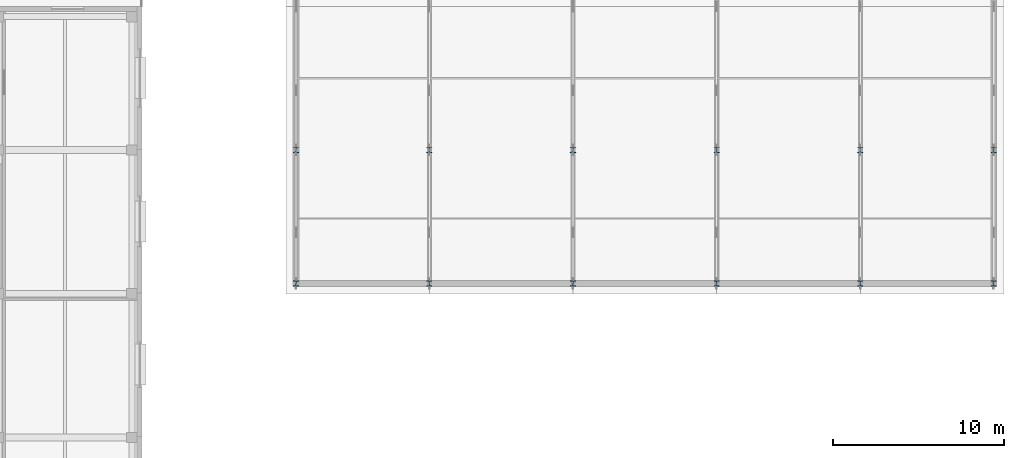
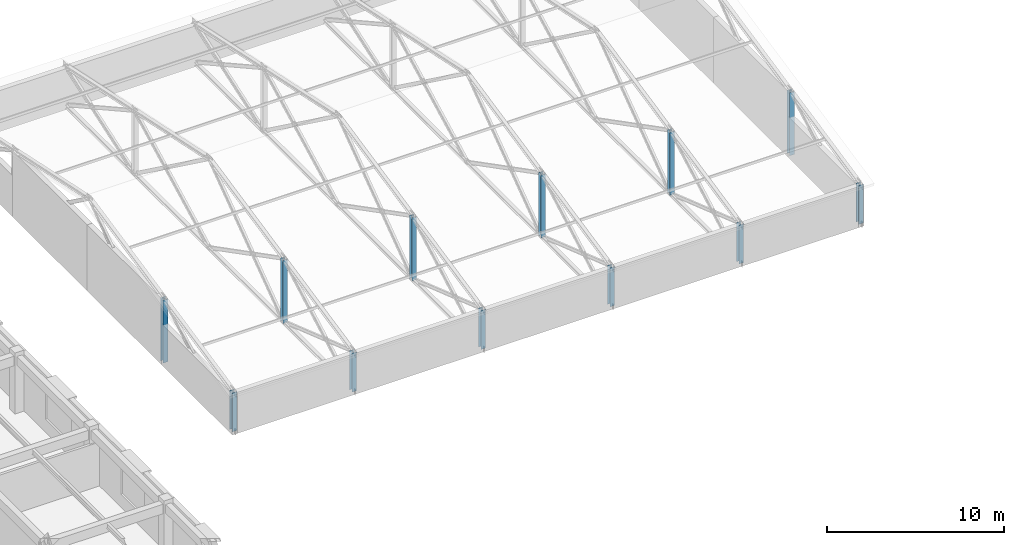
# One storey, part 16 of 123: 12 columns.
"""IFC4 building model written with IfcOpenShell, lengths in metres."""

from ifc_helpers import new_model, si_unit, direction, frame, origin, origin_2d, place, context, subcontext, project, spatial, i_section, extrude, material, material_profile, profile_set, type_object, element, save


model = new_model("IFC4")

# Units and contexts
model_context = context("Model", 3, precision=1e-05, world=origin(), true_north=direction((0.0, 1.0)))
body_context = subcontext(model_context, "Body", "Model", "MODEL_VIEW")
ifc_project = project(units=[si_unit("LENGTHUNIT", "METRE"), si_unit("AREAUNIT", "SQUARE_METRE"), si_unit("VOLUMEUNIT", "CUBIC_METRE"), si_unit("PLANEANGLEUNIT", "RADIAN"), si_unit("MASSUNIT", "GRAM", prefix="KILO")], contexts=[model_context])

# Site, building, storey
site_placement = place(None, origin())
site = spatial("IfcSite", under=ifc_project, at=site_placement, CompositionType="ELEMENT")
building_placement = place(site_placement, origin())
building = spatial("IfcBuilding", under=site, at=building_placement, Name="Zayran Congress Hotel", CompositionType="ELEMENT")
storey_placement = place(building_placement, frame((0.0, 0.0, 15.0)))
storey = spatial("IfcBuildingStorey", under=building, at=storey_placement, Name="L03", CompositionType="ELEMENT", Elevation=15.0)

# Columns
ifc_material = material(Name="Steel S355", Category="steel")
ifc_material_profile = material_profile(ifc_material, i_section(OverallWidth=0.300048828125, OverallDepth=0.300048828125, WebThickness=0.010986328125, FlangeThickness=0.01904296875, at=origin_2d()), Name="HEB 300")
ifc_profile_set = profile_set([ifc_material_profile], Name="Steel S355")
column_type = type_object("IfcColumnType", Name="TP-CL-08", PredefinedType="COLUMN", material=ifc_profile_set)
column_1_placement = place(storey_placement, frame((143.39990234375, 85.0, 0.0), z_axis=(0.0, 0.0, 1.0), x_axis=(1.0, 0.0, 0.0)))
element("IfcColumn", 1, at=column_1_placement, inside=storey, type_object=column_type, Name="COL-V2-EAV-1434", PredefinedType="COLUMN", context=body_context, shape_type="SweptSolid", body=[
    extrude(i_section(OverallWidth=0.300048828125, OverallDepth=0.300048828125, WebThickness=0.010986328125, FlangeThickness=0.01904296875, at=origin_2d()), origin(), (0.0, 0.0, 1.0), 2.677490234375),
])
column_2_placement = place(storey_placement, frame((143.39990234375, 92.800048828125, 0.0), z_axis=(0.0, 0.0, 1.0), x_axis=(1.0, 0.0, 0.0)))
element("IfcColumn", 2, at=column_2_placement, inside=storey, type_object=column_type, Name="COL-V2-EAV-1435", PredefinedType="COLUMN", context=body_context, shape_type="SweptSolid", body=[
    extrude(i_section(OverallWidth=0.300048828125, OverallDepth=0.300048828125, WebThickness=0.010986328125, FlangeThickness=0.01904296875, at=origin_2d()), origin(), (0.0, 0.0, 1.0), 4.33544921875),
])
column_3_placement = place(storey_placement, frame((151.199951171875, 85.0, 0.0), z_axis=(0.0, 0.0, 1.0), x_axis=(1.0, 0.0, 0.0)))
element("IfcColumn", 3, at=column_3_placement, inside=storey, type_object=column_type, Name="COL-V2-EAV-1438", PredefinedType="COLUMN", context=body_context, shape_type="SweptSolid", body=[
    extrude(i_section(OverallWidth=0.300048828125, OverallDepth=0.300048828125, WebThickness=0.010986328125, FlangeThickness=0.01904296875, at=origin_2d()), origin(), (0.0, 0.0, 1.0), 2.677490234375),
])
column_4_placement = place(storey_placement, frame((151.199951171875, 92.800048828125, 0.0), z_axis=(0.0, 0.0, 1.0), x_axis=(1.0, 0.0, 0.0)))
element("IfcColumn", 4, at=column_4_placement, inside=storey, type_object=column_type, Name="COL-V2-EAV-1439", PredefinedType="COLUMN", context=body_context, shape_type="SweptSolid", body=[
    extrude(i_section(OverallWidth=0.300048828125, OverallDepth=0.300048828125, WebThickness=0.010986328125, FlangeThickness=0.01904296875, at=origin_2d()), origin(), (0.0, 0.0, 1.0), 4.33544921875),
])
column_5_placement = place(storey_placement, frame((159.60009765625, 85.0, 0.0), z_axis=(0.0, 0.0, 1.0), x_axis=(1.0, 0.0, 0.0)))
element("IfcColumn", 5, at=column_5_placement, inside=storey, type_object=column_type, Name="COL-V2-EAV-1442", PredefinedType="COLUMN", context=body_context, shape_type="SweptSolid", body=[
    extrude(i_section(OverallWidth=0.300048828125, OverallDepth=0.300048828125, WebThickness=0.010986328125, FlangeThickness=0.01904296875, at=origin_2d()), origin(), (0.0, 0.0, 1.0), 2.677490234375),
])
column_6_placement = place(storey_placement, frame((159.60009765625, 92.800048828125, 0.0), z_axis=(0.0, 0.0, 1.0), x_axis=(1.0, 0.0, 0.0)))
element("IfcColumn", 6, at=column_6_placement, inside=storey, type_object=column_type, Name="COL-V2-EAV-1443", PredefinedType="COLUMN", context=body_context, shape_type="SweptSolid", body=[
    extrude(i_section(OverallWidth=0.300048828125, OverallDepth=0.300048828125, WebThickness=0.010986328125, FlangeThickness=0.01904296875, at=origin_2d()), origin(), (0.0, 0.0, 1.0), 4.33544921875),
])
column_7_placement = place(storey_placement, frame((168.0, 85.0, 0.0), z_axis=(0.0, 0.0, 1.0), x_axis=(1.0, 0.0, 0.0)))
element("IfcColumn", 7, at=column_7_placement, inside=storey, type_object=column_type, Name="COL-V2-EAV-1446", PredefinedType="COLUMN", context=body_context, shape_type="SweptSolid", body=[
    extrude(i_section(OverallWidth=0.300048828125, OverallDepth=0.300048828125, WebThickness=0.010986328125, FlangeThickness=0.01904296875, at=origin_2d()), origin(), (0.0, 0.0, 1.0), 2.677490234375),
])
column_8_placement = place(storey_placement, frame((168.0, 92.800048828125, 0.0), z_axis=(0.0, 0.0, 1.0), x_axis=(1.0, 0.0, 0.0)))
element("IfcColumn", 8, at=column_8_placement, inside=storey, type_object=column_type, Name="COL-V2-EAV-1447", PredefinedType="COLUMN", context=body_context, shape_type="SweptSolid", body=[
    extrude(i_section(OverallWidth=0.300048828125, OverallDepth=0.300048828125, WebThickness=0.010986328125, FlangeThickness=0.01904296875, at=origin_2d()), origin(), (0.0, 0.0, 1.0), 4.33544921875),
])
column_9_placement = place(storey_placement, frame((176.39990234375, 85.0, 0.0), z_axis=(0.0, 0.0, 1.0), x_axis=(1.0, 0.0, 0.0)))
element("IfcColumn", 9, at=column_9_placement, inside=storey, type_object=column_type, Name="COL-V2-EAV-1450", PredefinedType="COLUMN", context=body_context, shape_type="SweptSolid", body=[
    extrude(i_section(OverallWidth=0.300048828125, OverallDepth=0.300048828125, WebThickness=0.010986328125, FlangeThickness=0.01904296875, at=origin_2d()), origin(), (0.0, 0.0, 1.0), 2.677490234375),
])
column_10_placement = place(storey_placement, frame((176.39990234375, 92.800048828125, 0.0), z_axis=(0.0, 0.0, 1.0), x_axis=(1.0, 0.0, 0.0)))
element("IfcColumn", 10, at=column_10_placement, inside=storey, type_object=column_type, Name="COL-V2-EAV-1451", PredefinedType="COLUMN", context=body_context, shape_type="SweptSolid", body=[
    extrude(i_section(OverallWidth=0.300048828125, OverallDepth=0.300048828125, WebThickness=0.010986328125, FlangeThickness=0.01904296875, at=origin_2d()), origin(), (0.0, 0.0, 1.0), 4.33544921875),
])
column_11_placement = place(storey_placement, frame((184.199951171875, 85.0, 0.0), z_axis=(0.0, 0.0, 1.0), x_axis=(1.0, 0.0, 0.0)))
element("IfcColumn", 11, at=column_11_placement, inside=storey, type_object=column_type, Name="COL-V2-EAV-1454", PredefinedType="COLUMN", context=body_context, shape_type="SweptSolid", body=[
    extrude(i_section(OverallWidth=0.300048828125, OverallDepth=0.300048828125, WebThickness=0.010986328125, FlangeThickness=0.01904296875, at=origin_2d()), origin(), (0.0, 0.0, 1.0), 2.677490234375),
])
column_12_placement = place(storey_placement, frame((184.199951171875, 92.800048828125, 0.0), z_axis=(0.0, 0.0, 1.0), x_axis=(1.0, 0.0, 0.0)))
element("IfcColumn", 12, at=column_12_placement, inside=storey, type_object=column_type, Name="COL-V2-EAV-1455", PredefinedType="COLUMN", context=body_context, shape_type="SweptSolid", body=[
    extrude(i_section(OverallWidth=0.300048828125, OverallDepth=0.300048828125, WebThickness=0.010986328125, FlangeThickness=0.01904296875, at=origin_2d()), origin(), (0.0, 0.0, 1.0), 4.33544921875),
])

save(model, "model.ifc")
